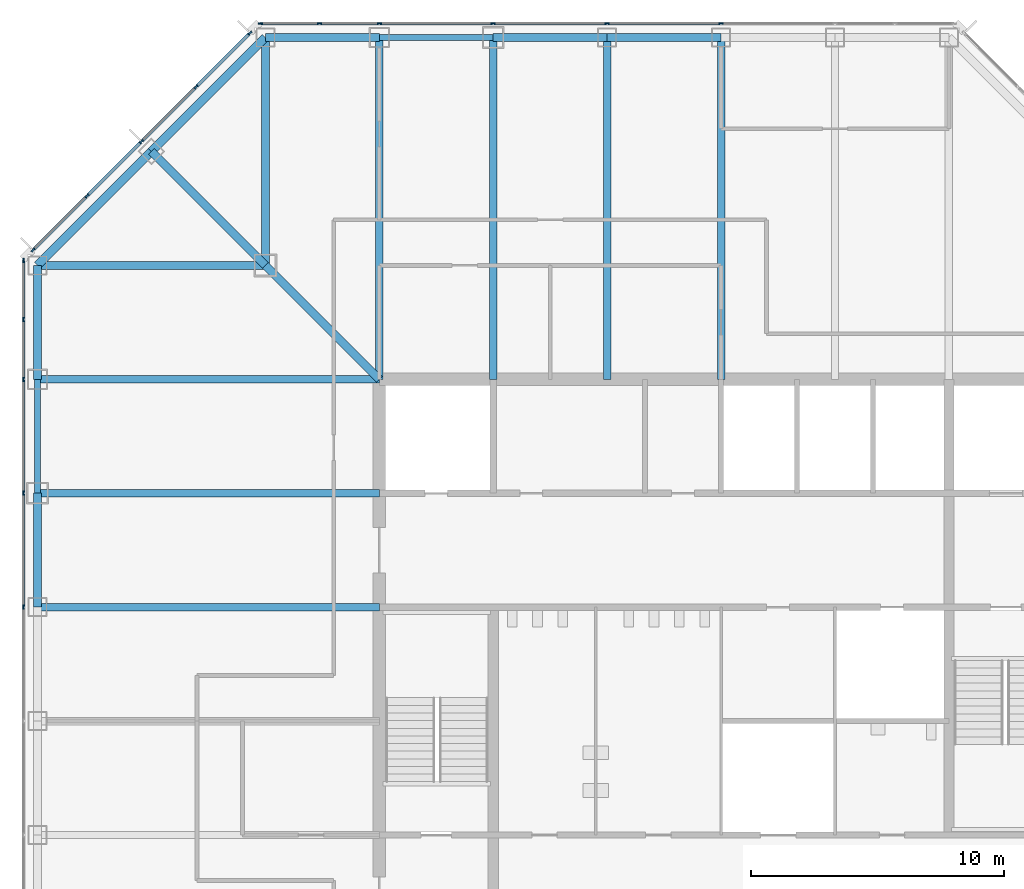
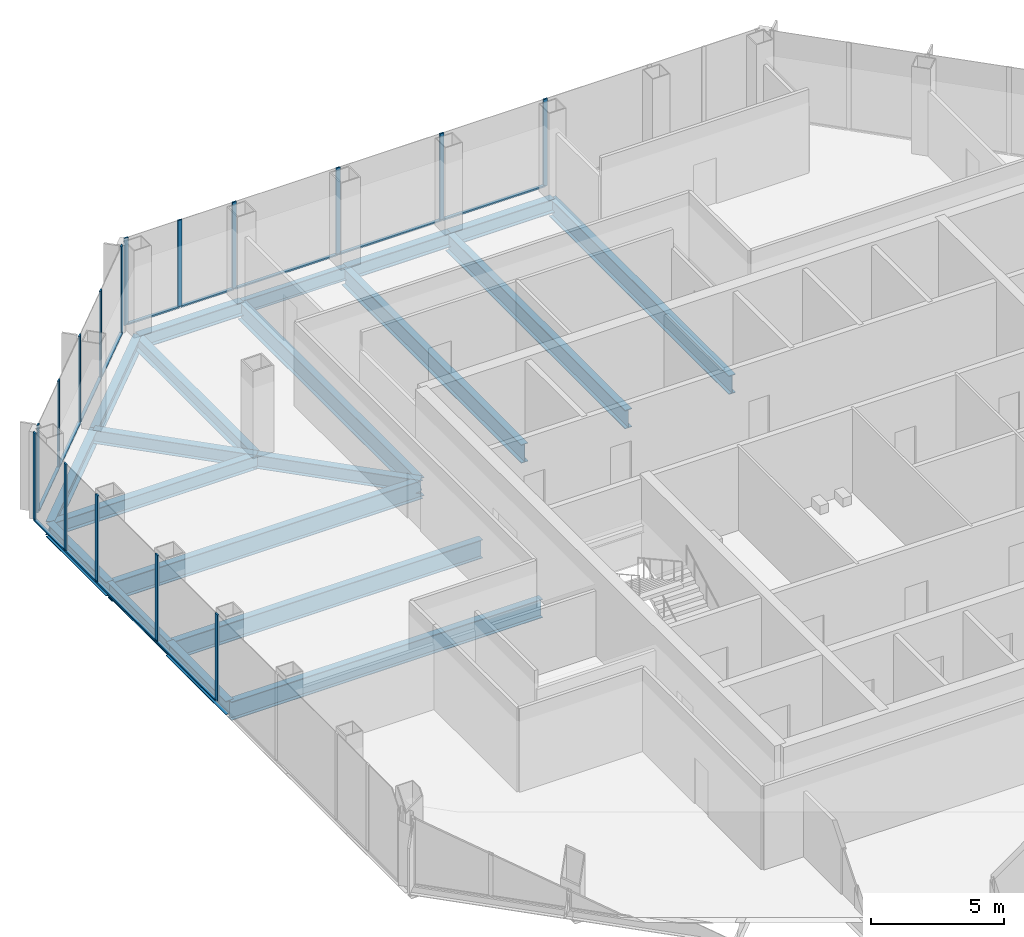
# One storey, part 5 of 12: 29 members, 20 beams, 3 elements without a shape of their own.
"""IFC4 building model written with IfcOpenShell, lengths in metres."""

from ifc_helpers import new_model, si_unit, direction, frame, origin, origin_2d, place, context, subcontext, project, spatial, rectangle, i_section, extrude, material, material_profile, profile_set, type_object, element, aggregate, save


model = new_model("IFC4")

# Units and contexts
model_context = context("Model", 3, precision=1e-05, world=origin(), true_north=direction((0.0, 1.0)))
body_context = subcontext(model_context, "Body", "Model", "MODEL_VIEW")
ifc_project = project(units=[si_unit("LENGTHUNIT", "METRE"), si_unit("AREAUNIT", "SQUARE_METRE"), si_unit("VOLUMEUNIT", "CUBIC_METRE"), si_unit("PLANEANGLEUNIT", "RADIAN"), si_unit("MASSUNIT", "GRAM", prefix="KILO")], contexts=[model_context])

# Site, building, storey
site_placement = place(None, origin())
site = spatial("IfcSite", under=ifc_project, at=site_placement, CompositionType="ELEMENT")
building_placement = place(site_placement, origin())
building = spatial("IfcBuilding", under=site, at=building_placement, Name="Corais Broadcast Tower", CompositionType="ELEMENT")
storey_placement = place(building_placement, frame((0.0, 0.0, 147.60009765625)))
storey = spatial("IfcBuildingStorey", under=building, at=storey_placement, Name="L33", CompositionType="ELEMENT", Elevation=147.60009765625)

# Beams
ifc_material_1 = material(Name="Steel ASTM A572 Grade 50", Category="steel")
ifc_material_profile_1 = material_profile(ifc_material_1, i_section(OverallWidth=0.323974609375, OverallDepth=0.611083984375, WebThickness=0.0126953125, FlangeThickness=0.01904296875, at=origin_2d()), Name="W610x155")
ifc_profile_set_1 = profile_set([ifc_material_profile_1], Name="Steel ASTM A572 Grade 50")
beam_type_1 = type_object("IfcBeamType", Name="Chamfer tie W610x155", PredefinedType="BEAM", material=ifc_profile_set_1)
beam_1_placement = place(storey_placement, frame((4.5, 49.5, -0.465576171875), z_axis=(0.707106781187, -0.707106781187, 0.0), x_axis=(0.707106781187, 0.707106781187, 0.0)))
element("IfcBeam", 1, at=beam_1_placement, inside=storey, type_object=beam_type_1, Name="B5 M/4 to L/5", PredefinedType="BEAM", context=body_context, shape_type="SweptSolid", body=[
    extrude(i_section(OverallWidth=0.323974609375, OverallDepth=0.611083984375, WebThickness=0.0126953125, FlangeThickness=0.01904296875, at=origin_2d()), origin(), (0.0, 0.0, 1.0), 6.364013671875),
])
ifc_material_2 = material(Name="Steel ASTM A572 Grade 50", Category="steel")
ifc_material_profile_2 = material_profile(ifc_material_2, i_section(OverallWidth=0.323974609375, OverallDepth=0.611083984375, WebThickness=0.0126953125, FlangeThickness=0.01904296875, at=origin_2d()), Name="W610x155")
ifc_profile_set_2 = profile_set([ifc_material_profile_2], Name="Steel ASTM A572 Grade 50")
beam_type_2 = type_object("IfcBeamType", Name="Corner diagonal W610x155", PredefinedType="BEAM", material=ifc_profile_set_2)
beam_2_placement = place(storey_placement, frame((9.0, 45.0, -0.465576171875), z_axis=(0.707106781187, -0.707106781187, 0.0), x_axis=(0.707106781187, 0.707106781187, 0.0)))
element("IfcBeam", 2, at=beam_2_placement, inside=storey, type_object=beam_type_2, Name="B6 L/5 to K/6", PredefinedType="BEAM", context=body_context, shape_type="SweptSolid", body=[
    extrude(i_section(OverallWidth=0.323974609375, OverallDepth=0.611083984375, WebThickness=0.0126953125, FlangeThickness=0.01904296875, at=origin_2d()), origin(), (0.0, 0.0, 1.0), 6.364013671875),
])
ifc_material_3 = material(Name="Steel ASTM A572 Grade 50", Category="steel")
ifc_material_profile_3 = material_profile(ifc_material_3, i_section(OverallWidth=0.323974609375, OverallDepth=0.611083984375, WebThickness=0.0126953125, FlangeThickness=0.01904296875, at=origin_2d()), Name="W610x155")
ifc_profile_set_3 = profile_set([ifc_material_profile_3], Name="Steel ASTM A572 Grade 50")
beam_type_3 = type_object("IfcBeamType", Name="Corner girder W610x155", PredefinedType="BEAM", material=ifc_profile_set_3)
for number, where, z_axis, x_axis, name in (
    (3, (0.0, 45.0, -0.465576171875), (1.0, 0.0, 0.0), (0.0, 1.0, 0.0), "B4 L/3 to L/5"),
    (4, (9.0, 54.0, -0.465576171875), (0.0, -1.0, 0.0), (1.0, 0.0, 0.0), "B4 N/5 to L/5"),
):
    element("IfcBeam", number, at=place(storey_placement, frame(where, z_axis=z_axis, x_axis=x_axis)), inside=storey, type_object=beam_type_3, Name=name, PredefinedType="BEAM", context=body_context, shape_type="SweptSolid", body=[
        extrude(i_section(OverallWidth=0.323974609375, OverallDepth=0.611083984375, WebThickness=0.0126953125, FlangeThickness=0.01904296875, at=origin_2d()), origin(), (0.0, 0.0, 1.0), 9.0),
    ])
ifc_material_4 = material(Name="Steel ASTM A572 Grade 50", Category="steel")
ifc_material_profile_4 = material_profile(ifc_material_4, i_section(OverallWidth=0.2939453125, OverallDepth=0.85107421875, WebThickness=0.01611328125, FlangeThickness=0.02685546875, at=origin_2d()), Name="W840x226")
ifc_profile_set_4 = profile_set([ifc_material_profile_4], Name="Steel ASTM A572 Grade 50")
beam_type_4 = type_object("IfcBeamType", Name="Floor beam W840x226", PredefinedType="BEAM", material=ifc_profile_set_4)
for number, where, z_axis, x_axis, name in (
    (5, (0.0, 31.5, -0.585693359375), (1.0, 0.0, 0.0), (0.0, 1.0, 0.0), "B1 H/3 to H/6"),
    (6, (0.0, 36.0, -0.585693359375), (1.0, 0.0, 0.0), (0.0, 1.0, 0.0), "B1 J/3 to J/6"),
    (7, (0.0, 40.5, -0.585693359375), (1.0, 0.0, 0.0), (0.0, 1.0, 0.0), "B1 K/3 to K/6"),
    (8, (13.5, 54.0, -0.585693359375), (0.0, -1.0, 0.0), (1.0, 0.0, 0.0), "B1 N/6 to K/6"),
    (9, (18.0, 54.0, -0.585693359375), (0.0, -1.0, 0.0), (1.0, 0.0, 0.0), "B1 N/7 to K/7"),
    (10, (22.5, 54.0, -0.585693359375), (0.0, -1.0, 0.0), (1.0, 0.0, 0.0), "B1 N/8 to K/8"),
    (11, (27.0, 54.0, -0.585693359375), (0.0, -1.0, 0.0), (1.0, 0.0, 0.0), "B1 N/9 to K/9"),
):
    element("IfcBeam", number, at=place(storey_placement, frame(where, z_axis=z_axis, x_axis=x_axis)), inside=storey, type_object=beam_type_4, Name=name, PredefinedType="BEAM", context=body_context, shape_type="SweptSolid", body=[
        extrude(i_section(OverallWidth=0.2939453125, OverallDepth=0.85107421875, WebThickness=0.01611328125, FlangeThickness=0.02685546875, at=origin_2d()), origin(), (0.0, 0.0, 1.0), 13.5),
    ])

# Curtain wall, members
ifc_material_5 = material(Name="Aluminium and glass", Category="aluminium")
curtain_wall_type = type_object("IfcCurtainWallType", Name="Unitised fritted curtain wall CW2", PredefinedType="NOTDEFINED", material=ifc_material_5)
curtain_wall_1_placement = place(storey_placement, origin())
curtain_wall_1 = element("IfcCurtainWall", 12, at=curtain_wall_1_placement, inside=storey, type_object=curtain_wall_type, Name="CW2 curtain wall L33 2", PredefinedType="NOTDEFINED")
ifc_material_6 = material(Name="Aluminium 6063-T6", Category="aluminium")
ifc_material_profile_5 = material_profile(ifc_material_6, rectangle(XDim=0.06494140625, YDim=0.179931640625, at=origin_2d()), Name="Mullion CW2 65x180")
ifc_profile_set_5 = profile_set([ifc_material_profile_5], Name="Aluminium 6063-T6")
member_type_1 = type_object("IfcMemberType", Name="Mullion CW2 65x180", PredefinedType="MULLION", material=ifc_profile_set_5)
member_1_placement = place(storey_placement, frame((-0.550048828125, 31.5, 0.0), z_axis=(0.0, 0.0, 1.0), x_axis=(-1.0, 0.0, 0.0)))
member_1 = element("IfcMember", 13, at=member_1_placement, type_object=member_type_1, Name="CW2 mullion 5", PredefinedType="MULLION", context=body_context, shape_type="SweptSolid", body=[
    extrude(rectangle(XDim=0.06494140625, YDim=0.179931640625, at=origin_2d()), origin(), (0.0, 0.0, 1.0), 4.0),
])
member_2_placement = place(storey_placement, frame((-0.550048828125, 36.0, 0.0), z_axis=(0.0, 0.0, 1.0), x_axis=(-1.0, 0.0, 0.0)))
member_2 = element("IfcMember", 14, at=member_2_placement, type_object=member_type_1, Name="CW2 mullion 6", PredefinedType="MULLION", context=body_context, shape_type="SweptSolid", body=[
    extrude(rectangle(XDim=0.06494140625, YDim=0.179931640625, at=origin_2d()), origin(), (0.0, 0.0, 1.0), 4.0),
])
member_3_placement = place(storey_placement, frame((-0.550048828125, 40.5, 0.0), z_axis=(0.0, 0.0, 1.0), x_axis=(-1.0, 0.0, 0.0)))
member_3 = element("IfcMember", 15, at=member_3_placement, type_object=member_type_1, Name="CW2 mullion 7", PredefinedType="MULLION", context=body_context, shape_type="SweptSolid", body=[
    extrude(rectangle(XDim=0.06494140625, YDim=0.179931640625, at=origin_2d()), origin(), (0.0, 0.0, 1.0), 4.0),
])
member_4_placement = place(storey_placement, frame((-0.550048828125, 42.864013671875, 0.0), z_axis=(0.0, 0.0, 1.0), x_axis=(-1.0, 0.0, 0.0)))
member_4 = element("IfcMember", 16, at=member_4_placement, type_object=member_type_1, Name="CW2 mullion 8", PredefinedType="MULLION", context=body_context, shape_type="SweptSolid", body=[
    extrude(rectangle(XDim=0.06494140625, YDim=0.179931640625, at=origin_2d()), origin(), (0.0, 0.0, 1.0), 4.0),
])
member_5_placement = place(storey_placement, frame((-0.550048828125, 45.1953125, 0.0), z_axis=(0.0, 0.0, 1.0), x_axis=(-1.0, 0.0, 0.0)))
member_5 = element("IfcMember", 17, at=member_5_placement, type_object=member_type_1, Name="CW2 mullion 9", PredefinedType="MULLION", context=body_context, shape_type="SweptSolid", body=[
    extrude(rectangle(XDim=0.06494140625, YDim=0.179931640625, at=origin_2d()), origin(), (0.0, 0.0, 1.0), 4.0),
])

curtain_wall_2_placement = place(storey_placement, origin())
curtain_wall_2 = element("IfcCurtainWall", 18, at=curtain_wall_2_placement, inside=storey, type_object=curtain_wall_type, Name="CW2 curtain wall L33 3", PredefinedType="NOTDEFINED")
member_6_placement = place(storey_placement, frame((-0.17333984375, 45.6044921875, 0.0), z_axis=(0.0, 0.0, 1.0), x_axis=(-0.707106781187, 0.707106781187, 0.0)))
member_6 = element("IfcMember", 19, at=member_6_placement, type_object=member_type_1, Name="CW2 mullion 1", PredefinedType="MULLION", context=body_context, shape_type="SweptSolid", body=[
    extrude(rectangle(XDim=0.06494140625, YDim=0.179931640625, at=origin_2d()), origin(), (0.0, 0.0, 1.0), 4.0),
])
member_7_placement = place(storey_placement, frame((1.957275390625, 47.735107421875, 0.0), z_axis=(0.0, 0.0, 1.0), x_axis=(-0.707106781187, 0.707106781187, 0.0)))
member_7 = element("IfcMember", 20, at=member_7_placement, type_object=member_type_1, Name="CW2 mullion 2", PredefinedType="MULLION", context=body_context, shape_type="SweptSolid", body=[
    extrude(rectangle(XDim=0.06494140625, YDim=0.179931640625, at=origin_2d()), origin(), (0.0, 0.0, 1.0), 4.0),
])
member_8_placement = place(storey_placement, frame((4.111083984375, 49.888916015625, 0.0), z_axis=(0.0, 0.0, 1.0), x_axis=(-0.707106781187, 0.707106781187, 0.0)))
member_8 = element("IfcMember", 21, at=member_8_placement, type_object=member_type_1, Name="CW2 mullion 3", PredefinedType="MULLION", context=body_context, shape_type="SweptSolid", body=[
    extrude(rectangle(XDim=0.06494140625, YDim=0.179931640625, at=origin_2d()), origin(), (0.0, 0.0, 1.0), 4.0),
])
member_9_placement = place(storey_placement, frame((6.264892578125, 52.042724609375, 0.0), z_axis=(0.0, 0.0, 1.0), x_axis=(-0.707106781187, 0.707106781187, 0.0)))
member_9 = element("IfcMember", 22, at=member_9_placement, type_object=member_type_1, Name="CW2 mullion 4", PredefinedType="MULLION", context=body_context, shape_type="SweptSolid", body=[
    extrude(rectangle(XDim=0.06494140625, YDim=0.179931640625, at=origin_2d()), origin(), (0.0, 0.0, 1.0), 4.0),
])
member_10_placement = place(storey_placement, frame((8.3955078125, 54.17333984375, 0.0), z_axis=(0.0, 0.0, 1.0), x_axis=(-0.707106781187, 0.707106781187, 0.0)))
member_10 = element("IfcMember", 23, at=member_10_placement, type_object=member_type_1, Name="CW2 mullion 5", PredefinedType="MULLION", context=body_context, shape_type="SweptSolid", body=[
    extrude(rectangle(XDim=0.06494140625, YDim=0.179931640625, at=origin_2d()), origin(), (0.0, 0.0, 1.0), 4.0),
])

curtain_wall_3_placement = place(storey_placement, origin())
curtain_wall_3 = element("IfcCurtainWall", 24, at=curtain_wall_3_placement, inside=storey, type_object=curtain_wall_type, Name="CW2 curtain wall L33 4", PredefinedType="NOTDEFINED")
member_11_placement = place(storey_placement, frame((8.8046875, 54.550048828125, 0.0), z_axis=(0.0, 0.0, 1.0), x_axis=(0.0, 1.0, 0.0)))
member_11 = element("IfcMember", 25, at=member_11_placement, type_object=member_type_1, Name="CW2 mullion 1", PredefinedType="MULLION", context=body_context, shape_type="SweptSolid", body=[
    extrude(rectangle(XDim=0.06494140625, YDim=0.179931640625, at=origin_2d()), origin(), (0.0, 0.0, 1.0), 4.0),
])
member_12_placement = place(storey_placement, frame((11.135986328125, 54.550048828125, 0.0), z_axis=(0.0, 0.0, 1.0), x_axis=(0.0, 1.0, 0.0)))
member_12 = element("IfcMember", 26, at=member_12_placement, type_object=member_type_1, Name="CW2 mullion 2", PredefinedType="MULLION", context=body_context, shape_type="SweptSolid", body=[
    extrude(rectangle(XDim=0.06494140625, YDim=0.179931640625, at=origin_2d()), origin(), (0.0, 0.0, 1.0), 4.0),
])
member_13_placement = place(storey_placement, frame((13.5, 54.550048828125, 0.0), z_axis=(0.0, 0.0, 1.0), x_axis=(0.0, 1.0, 0.0)))
member_13 = element("IfcMember", 27, at=member_13_placement, type_object=member_type_1, Name="CW2 mullion 3", PredefinedType="MULLION", context=body_context, shape_type="SweptSolid", body=[
    extrude(rectangle(XDim=0.06494140625, YDim=0.179931640625, at=origin_2d()), origin(), (0.0, 0.0, 1.0), 4.0),
])
member_14_placement = place(storey_placement, frame((18.0, 54.550048828125, 0.0), z_axis=(0.0, 0.0, 1.0), x_axis=(0.0, 1.0, 0.0)))
member_14 = element("IfcMember", 28, at=member_14_placement, type_object=member_type_1, Name="CW2 mullion 4", PredefinedType="MULLION", context=body_context, shape_type="SweptSolid", body=[
    extrude(rectangle(XDim=0.06494140625, YDim=0.179931640625, at=origin_2d()), origin(), (0.0, 0.0, 1.0), 4.0),
])
member_15_placement = place(storey_placement, frame((22.5, 54.550048828125, 0.0), z_axis=(0.0, 0.0, 1.0), x_axis=(0.0, 1.0, 0.0)))
member_15 = element("IfcMember", 29, at=member_15_placement, type_object=member_type_1, Name="CW2 mullion 5", PredefinedType="MULLION", context=body_context, shape_type="SweptSolid", body=[
    extrude(rectangle(XDim=0.06494140625, YDim=0.179931640625, at=origin_2d()), origin(), (0.0, 0.0, 1.0), 4.0),
])
member_16_placement = place(storey_placement, frame((27.0, 54.550048828125, 0.0), z_axis=(0.0, 0.0, 1.0), x_axis=(0.0, 1.0, 0.0)))
member_16 = element("IfcMember", 30, at=member_16_placement, type_object=member_type_1, Name="CW2 mullion 6", PredefinedType="MULLION", context=body_context, shape_type="SweptSolid", body=[
    extrude(rectangle(XDim=0.06494140625, YDim=0.179931640625, at=origin_2d()), origin(), (0.0, 0.0, 1.0), 4.0),
])

# Beams
ifc_material_7 = material(Name="Steel ASTM A572 Grade 50", Category="steel")
ifc_material_profile_6 = material_profile(ifc_material_7, i_section(OverallWidth=0.22900390625, OverallDepth=0.612060546875, WebThickness=0.011962890625, FlangeThickness=0.01953125, at=origin_2d()), Name="W610x125")
ifc_profile_set_6 = profile_set([ifc_material_profile_6], Name="Steel ASTM A572 Grade 50")
beam_type_5 = type_object("IfcBeamType", Name="Pinned spandrel W610x125", PredefinedType="BEAM", material=ifc_profile_set_6)
for number, where, z_axis, x_axis, name in (
    (31, (0.0, 40.5, -0.466064453125), (0.0, -1.0, 0.0), (1.0, 0.0, 0.0), "SB7 K/3 to J/3"),
    (32, (18.0, 54.0, -0.466064453125), (-1.0, 0.0, 0.0), (0.0, -1.0, 0.0), "SB7 N/7 to N/6"),
):
    element("IfcBeam", number, at=place(storey_placement, frame(where, z_axis=z_axis, x_axis=x_axis)), inside=storey, type_object=beam_type_5, Name=name, PredefinedType="BEAM", context=body_context, shape_type="SweptSolid", body=[
        extrude(i_section(OverallWidth=0.22900390625, OverallDepth=0.612060546875, WebThickness=0.011962890625, FlangeThickness=0.01953125, at=origin_2d()), origin(), (0.0, 0.0, 1.0), 4.5),
    ])
ifc_material_8 = material(Name="Steel ASTM A572 Grade 50", Category="steel")
ifc_material_profile_7 = material_profile(ifc_material_8, i_section(OverallWidth=0.3291015625, OverallDepth=0.635009765625, WebThickness=0.017822265625, FlangeThickness=0.031005859375, at=origin_2d()), Name="W610x241")
ifc_profile_set_7 = profile_set([ifc_material_profile_7], Name="Steel ASTM A572 Grade 50")
beam_type_6 = type_object("IfcBeamType", Name="Spandrel W610x241", PredefinedType="BEAM", material=ifc_profile_set_7)
for number, where, z_axis, x_axis, name in (
    (33, (0.0, 36.0, -0.4775390625), (0.0, -1.0, 0.0), (1.0, 0.0, 0.0), "SB1 J/3 to H/3"),
    (34, (0.0, 45.0, -0.4775390625), (0.0, -1.0, 0.0), (1.0, 0.0, 0.0), "SB1 L/3 to K/3"),
    (35, (13.5, 54.0, -0.4775390625), (-1.0, 0.0, 0.0), (0.0, -1.0, 0.0), "SB1 N/6 to N/5"),
    (36, (22.5, 54.0, -0.4775390625), (-1.0, 0.0, 0.0), (0.0, -1.0, 0.0), "SB1 N/8 to N/7"),
    (37, (27.0, 54.0, -0.4775390625), (-1.0, 0.0, 0.0), (0.0, -1.0, 0.0), "SB1 N/9 to N/8"),
):
    element("IfcBeam", number, at=place(storey_placement, frame(where, z_axis=z_axis, x_axis=x_axis)), inside=storey, type_object=beam_type_6, Name=name, PredefinedType="BEAM", context=body_context, shape_type="SweptSolid", body=[
        extrude(i_section(OverallWidth=0.3291015625, OverallDepth=0.635009765625, WebThickness=0.017822265625, FlangeThickness=0.031005859375, at=origin_2d()), origin(), (0.0, 0.0, 1.0), 4.5),
    ])
for number, where, z_axis, x_axis, name in (
    (38, (4.5, 49.5, -0.4775390625), (-0.707106781187, -0.707106781187, 0.0), (0.707106781187, -0.707106781187, 0.0), "SB1 M/4 to L/3"),
    (39, (9.0, 54.0, -0.4775390625), (-0.707106781187, -0.707106781187, 0.0), (0.707106781187, -0.707106781187, 0.0), "SB1 N/5 to M/4"),
):
    element("IfcBeam", number, at=place(storey_placement, frame(where, z_axis=z_axis, x_axis=x_axis)), inside=storey, type_object=beam_type_6, Name=name, PredefinedType="BEAM", context=body_context, shape_type="SweptSolid", body=[
        extrude(i_section(OverallWidth=0.3291015625, OverallDepth=0.635009765625, WebThickness=0.017822265625, FlangeThickness=0.031005859375, at=origin_2d()), origin(), (0.0, 0.0, 1.0), 6.364013671875),
    ])

# Member
ifc_material_9 = material(Name="Aluminium 6063-T6", Category="aluminium")
ifc_material_profile_8 = material_profile(ifc_material_9, rectangle(XDim=0.1298828125, YDim=0.06494140625, at=origin_2d()), Name="Transom CW2 65x130")
ifc_profile_set_8 = profile_set([ifc_material_profile_8], Name="Aluminium 6063-T6")
member_type_2 = type_object("IfcMemberType", Name="Transom CW2 65x130", PredefinedType="USERDEFINED", material=ifc_profile_set_8)
member_17_placement = place(storey_placement, frame((-0.550048828125, 31.532470703125, 0.032470703125), z_axis=(0.0, 1.0, 0.0), x_axis=(-1.0, 0.0, 0.0)))
member_17 = element("IfcMember", 40, at=member_17_placement, type_object=member_type_2, Name="CW2 transom 5.1", ObjectType="TRANSOM", PredefinedType="USERDEFINED", context=body_context, shape_type="SweptSolid", body=[
    extrude(rectangle(XDim=0.1298828125, YDim=0.06494140625, at=origin_2d()), origin(), (0.0, 0.0, 1.0), 4.43505859375),
])

member_18_placement = place(storey_placement, frame((-0.550048828125, 36.032470703125, 0.032470703125), z_axis=(0.0, 1.0, 0.0), x_axis=(-1.0, 0.0, 0.0)))
member_18 = element("IfcMember", 41, at=member_18_placement, type_object=member_type_2, Name="CW2 transom 6.1", ObjectType="TRANSOM", PredefinedType="USERDEFINED", context=body_context, shape_type="SweptSolid", body=[
    extrude(rectangle(XDim=0.1298828125, YDim=0.06494140625, at=origin_2d()), origin(), (0.0, 0.0, 1.0), 4.43505859375),
])

member_19_placement = place(storey_placement, frame((-0.550048828125, 40.532470703125, 0.032470703125), z_axis=(0.0, 1.0, 0.0), x_axis=(-1.0, 0.0, 0.0)))
member_19 = element("IfcMember", 42, at=member_19_placement, type_object=member_type_2, Name="CW2 transom 7.1", ObjectType="TRANSOM", PredefinedType="USERDEFINED", context=body_context, shape_type="SweptSolid", body=[
    extrude(rectangle(XDim=0.1298828125, YDim=0.06494140625, at=origin_2d()), origin(), (0.0, 0.0, 1.0), 2.298828125),
])

member_20_placement = place(storey_placement, frame((-0.550048828125, 42.896484375, 0.032470703125), z_axis=(0.0, 1.0, 0.0), x_axis=(-1.0, 0.0, 0.0)))
member_20 = element("IfcMember", 43, at=member_20_placement, type_object=member_type_2, Name="CW2 transom 8.1", ObjectType="TRANSOM", PredefinedType="USERDEFINED", context=body_context, shape_type="SweptSolid", body=[
    extrude(rectangle(XDim=0.1298828125, YDim=0.06494140625, at=origin_2d()), origin(), (0.0, 0.0, 1.0), 2.266357421875),
])

aggregate(curtain_wall_1, [member_1, member_2, member_3, member_4, member_5, member_17, member_18, member_19, member_20])

member_21_placement = place(storey_placement, frame((-0.150390625, 45.62744140625, 0.032470703125), z_axis=(0.707106781187, 0.707106781187, 0.0), x_axis=(-0.707106781187, 0.707106781187, 0.0)))
member_21 = element("IfcMember", 44, at=member_21_placement, type_object=member_type_2, Name="CW2 transom 1.1", ObjectType="TRANSOM", PredefinedType="USERDEFINED", context=body_context, shape_type="SweptSolid", body=[
    extrude(rectangle(XDim=0.1298828125, YDim=0.06494140625, at=origin_2d()), origin(), (0.0, 0.0, 1.0), 2.9482421875),
])

member_22_placement = place(storey_placement, frame((1.980224609375, 47.758056640625, 0.032470703125), z_axis=(0.707106781187, 0.707106781187, 0.0), x_axis=(-0.707106781187, 0.707106781187, 0.0)))
member_22 = element("IfcMember", 45, at=member_22_placement, type_object=member_type_2, Name="CW2 transom 2.1", ObjectType="TRANSOM", PredefinedType="USERDEFINED", context=body_context, shape_type="SweptSolid", body=[
    extrude(rectangle(XDim=0.1298828125, YDim=0.06494140625, at=origin_2d()), origin(), (0.0, 0.0, 1.0), 2.98095703125),
])

member_23_placement = place(storey_placement, frame((4.134033203125, 49.911865234375, 0.032470703125), z_axis=(0.707106781187, 0.707106781187, 0.0), x_axis=(-0.707106781187, 0.707106781187, 0.0)))
member_23 = element("IfcMember", 46, at=member_23_placement, type_object=member_type_2, Name="CW2 transom 3.1", ObjectType="TRANSOM", PredefinedType="USERDEFINED", context=body_context, shape_type="SweptSolid", body=[
    extrude(rectangle(XDim=0.1298828125, YDim=0.06494140625, at=origin_2d()), origin(), (0.0, 0.0, 1.0), 2.98095703125),
])

member_24_placement = place(storey_placement, frame((6.287841796875, 52.065673828125, 0.032470703125), z_axis=(0.707106781187, 0.707106781187, 0.0), x_axis=(-0.707106781187, 0.707106781187, 0.0)))
member_24 = element("IfcMember", 47, at=member_24_placement, type_object=member_type_2, Name="CW2 transom 4.1", ObjectType="TRANSOM", PredefinedType="USERDEFINED", context=body_context, shape_type="SweptSolid", body=[
    extrude(rectangle(XDim=0.1298828125, YDim=0.06494140625, at=origin_2d()), origin(), (0.0, 0.0, 1.0), 2.9482421875),
])

aggregate(curtain_wall_2, [member_6, member_7, member_8, member_9, member_10, member_21, member_22, member_23, member_24])

member_25_placement = place(storey_placement, frame((8.837158203125, 54.550048828125, 0.032470703125), z_axis=(1.0, 0.0, 0.0), x_axis=(0.0, 1.0, 0.0)))
member_25 = element("IfcMember", 48, at=member_25_placement, type_object=member_type_2, Name="CW2 transom 1.1", ObjectType="TRANSOM", PredefinedType="USERDEFINED", context=body_context, shape_type="SweptSolid", body=[
    extrude(rectangle(XDim=0.1298828125, YDim=0.06494140625, at=origin_2d()), origin(), (0.0, 0.0, 1.0), 2.266357421875),
])

member_26_placement = place(storey_placement, frame((11.168701171875, 54.550048828125, 0.032470703125), z_axis=(1.0, 0.0, 0.0), x_axis=(0.0, 1.0, 0.0)))
member_26 = element("IfcMember", 49, at=member_26_placement, type_object=member_type_2, Name="CW2 transom 2.1", ObjectType="TRANSOM", PredefinedType="USERDEFINED", context=body_context, shape_type="SweptSolid", body=[
    extrude(rectangle(XDim=0.1298828125, YDim=0.06494140625, at=origin_2d()), origin(), (0.0, 0.0, 1.0), 2.298828125),
])

member_27_placement = place(storey_placement, frame((13.532470703125, 54.550048828125, 0.032470703125), z_axis=(1.0, 0.0, 0.0), x_axis=(0.0, 1.0, 0.0)))
member_27 = element("IfcMember", 50, at=member_27_placement, type_object=member_type_2, Name="CW2 transom 3.1", ObjectType="TRANSOM", PredefinedType="USERDEFINED", context=body_context, shape_type="SweptSolid", body=[
    extrude(rectangle(XDim=0.1298828125, YDim=0.06494140625, at=origin_2d()), origin(), (0.0, 0.0, 1.0), 4.43505859375),
])

member_28_placement = place(storey_placement, frame((18.032470703125, 54.550048828125, 0.032470703125), z_axis=(1.0, 0.0, 0.0), x_axis=(0.0, 1.0, 0.0)))
member_28 = element("IfcMember", 51, at=member_28_placement, type_object=member_type_2, Name="CW2 transom 4.1", ObjectType="TRANSOM", PredefinedType="USERDEFINED", context=body_context, shape_type="SweptSolid", body=[
    extrude(rectangle(XDim=0.1298828125, YDim=0.06494140625, at=origin_2d()), origin(), (0.0, 0.0, 1.0), 4.43505859375),
])

member_29_placement = place(storey_placement, frame((22.532470703125, 54.550048828125, 0.032470703125), z_axis=(1.0, 0.0, 0.0), x_axis=(0.0, 1.0, 0.0)))
member_29 = element("IfcMember", 52, at=member_29_placement, type_object=member_type_2, Name="CW2 transom 5.1", ObjectType="TRANSOM", PredefinedType="USERDEFINED", context=body_context, shape_type="SweptSolid", body=[
    extrude(rectangle(XDim=0.1298828125, YDim=0.06494140625, at=origin_2d()), origin(), (0.0, 0.0, 1.0), 4.43505859375),
])

aggregate(curtain_wall_3, [member_11, member_12, member_13, member_14, member_15, member_16, member_25, member_26, member_27, member_28, member_29])

save(model, "model.ifc")
